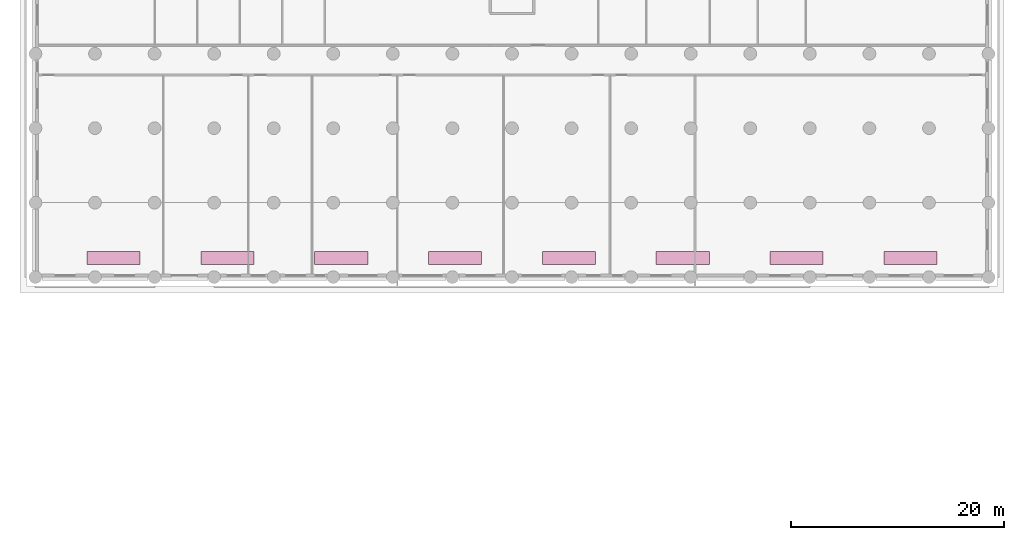
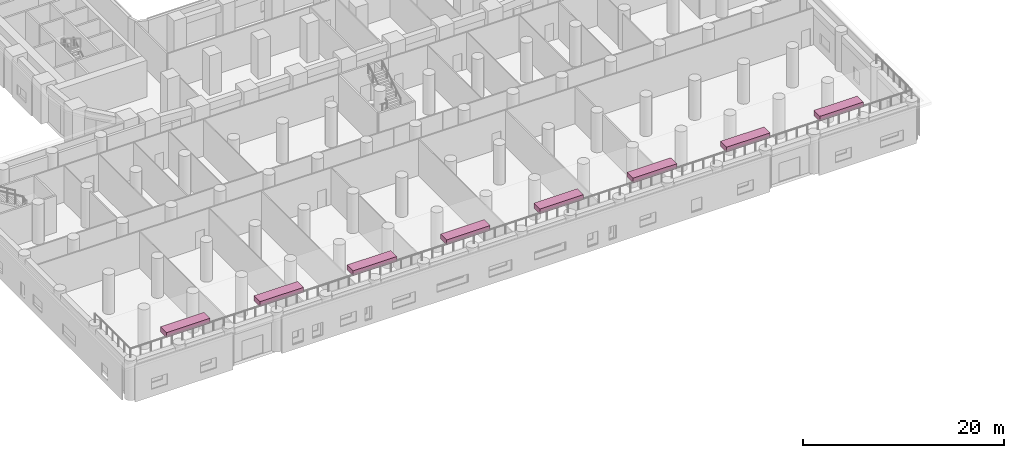
# One storey, part 27 of 27: 8 furnishings.
"""IFC4 building model written with IfcOpenShell, lengths in metres."""

from ifc_helpers import new_model, si_unit, direction, frame, origin, origin_2d, place, context, subcontext, project, spatial, rectangle, extrude, material, type_object, element, save


model = new_model("IFC4")

# Units and contexts
model_context = context("Model", 3, precision=1e-05, world=origin(), true_north=direction((0.0, 1.0)))
body_context = subcontext(model_context, "Body", "Model", "MODEL_VIEW")
ifc_project = project(units=[si_unit("LENGTHUNIT", "METRE"), si_unit("AREAUNIT", "SQUARE_METRE"), si_unit("VOLUMEUNIT", "CUBIC_METRE"), si_unit("PLANEANGLEUNIT", "RADIAN"), si_unit("MASSUNIT", "GRAM", prefix="KILO")], contexts=[model_context])

# Site, building, storey
site_placement = place(None, origin())
site = spatial("IfcSite", under=ifc_project, at=site_placement, CompositionType="ELEMENT")
building_placement = place(site_placement, origin())
building = spatial("IfcBuilding", under=site, at=building_placement, Name="Kiln Ring Residences", CompositionType="ELEMENT")
storey_placement = place(building_placement, frame((0.0, 0.0, 6.5)))
storey = spatial("IfcBuildingStorey", under=building, at=storey_placement, Name="L01", CompositionType="ELEMENT", Elevation=6.5)

# Furnishings
ifc_material = material(Name="Brick masonry, dark clay brick", Category="masonry")
furnishing_element_type = type_object("IfcFurnishingElementType", Name="PLANTER 1200 x 600", material=ifc_material)
for number, where, z_axis, x_axis, name in (
    (1, (-37.449951171875, -55.60009765625, 4.800048828125), (0.0, 0.0, 1.0), (1.0, 0.0, 0.0), "PLANTER L01 1"),
    (2, (-26.75, -55.60009765625, 4.800048828125), (0.0, 0.0, 1.0), (1.0, 0.0, 0.0), "PLANTER L01 2"),
    (3, (-16.050048828125, -55.60009765625, 4.800048828125), (0.0, 0.0, 1.0), (1.0, 0.0, 0.0), "PLANTER L01 3"),
    (4, (-5.35009765625, -55.60009765625, 4.800048828125), (0.0, 0.0, 1.0), (1.0, 0.0, 0.0), "PLANTER L01 4"),
    (5, (5.35009765625, -55.60009765625, 4.800048828125), (0.0, 0.0, 1.0), (1.0, 0.0, 0.0), "PLANTER L01 5"),
    (6, (16.050048828125, -55.60009765625, 4.800048828125), (0.0, 0.0, 1.0), (1.0, 0.0, 0.0), "PLANTER L01 6"),
    (7, (26.75, -55.60009765625, 4.800048828125), (0.0, 0.0, 1.0), (1.0, 0.0, 0.0), "PLANTER L01 7"),
    (8, (37.449951171875, -55.60009765625, 4.800048828125), (0.0, 0.0, 1.0), (1.0, 0.0, 0.0), "PLANTER L01 8"),
):
    element("IfcFurnishingElement", number, at=place(storey_placement, frame(where, z_axis=z_axis, x_axis=x_axis)), inside=storey, type_object=furnishing_element_type, Name=name, ObjectType="PLANTER", context=body_context, shape_type="SweptSolid", body=[
        extrude(rectangle(XDim=5.0, YDim=1.199951171875, at=origin_2d()), origin(), (0.0, 0.0, 1.0), 0.60009765625),
    ])

save(model, "model.ifc")
